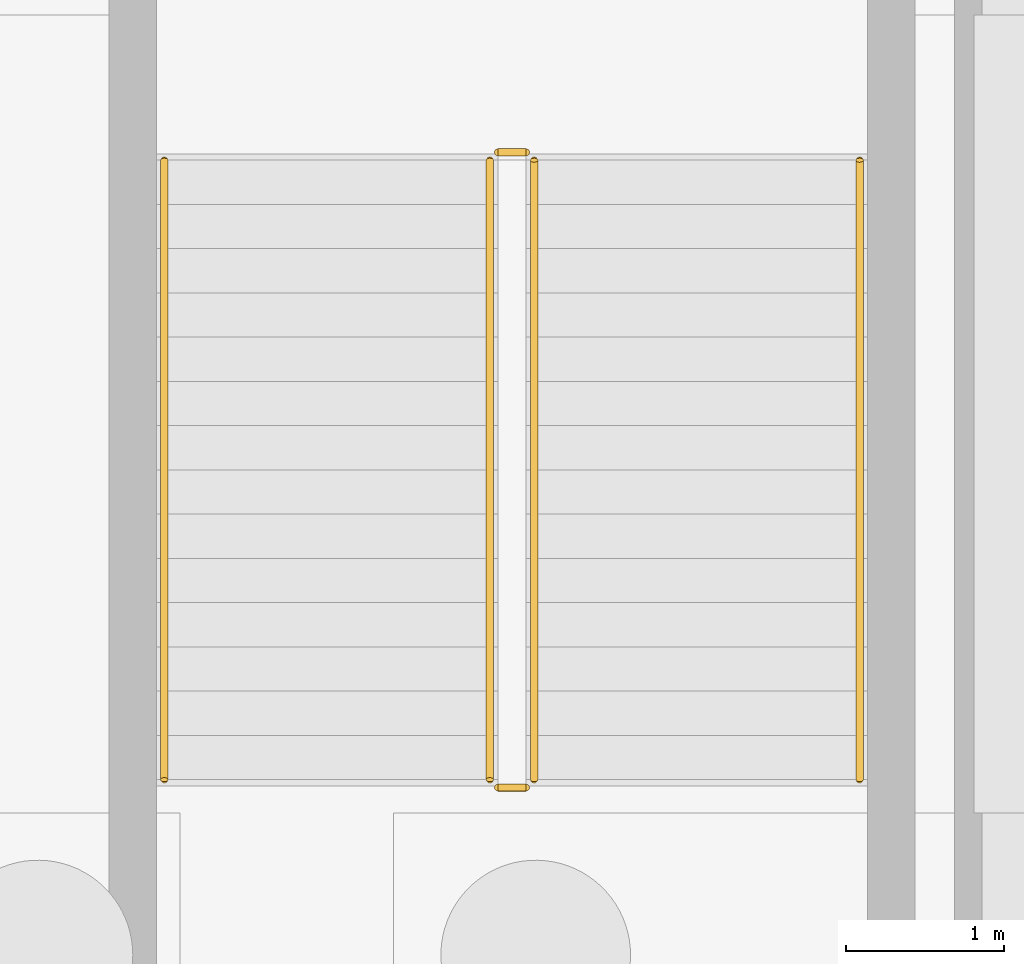
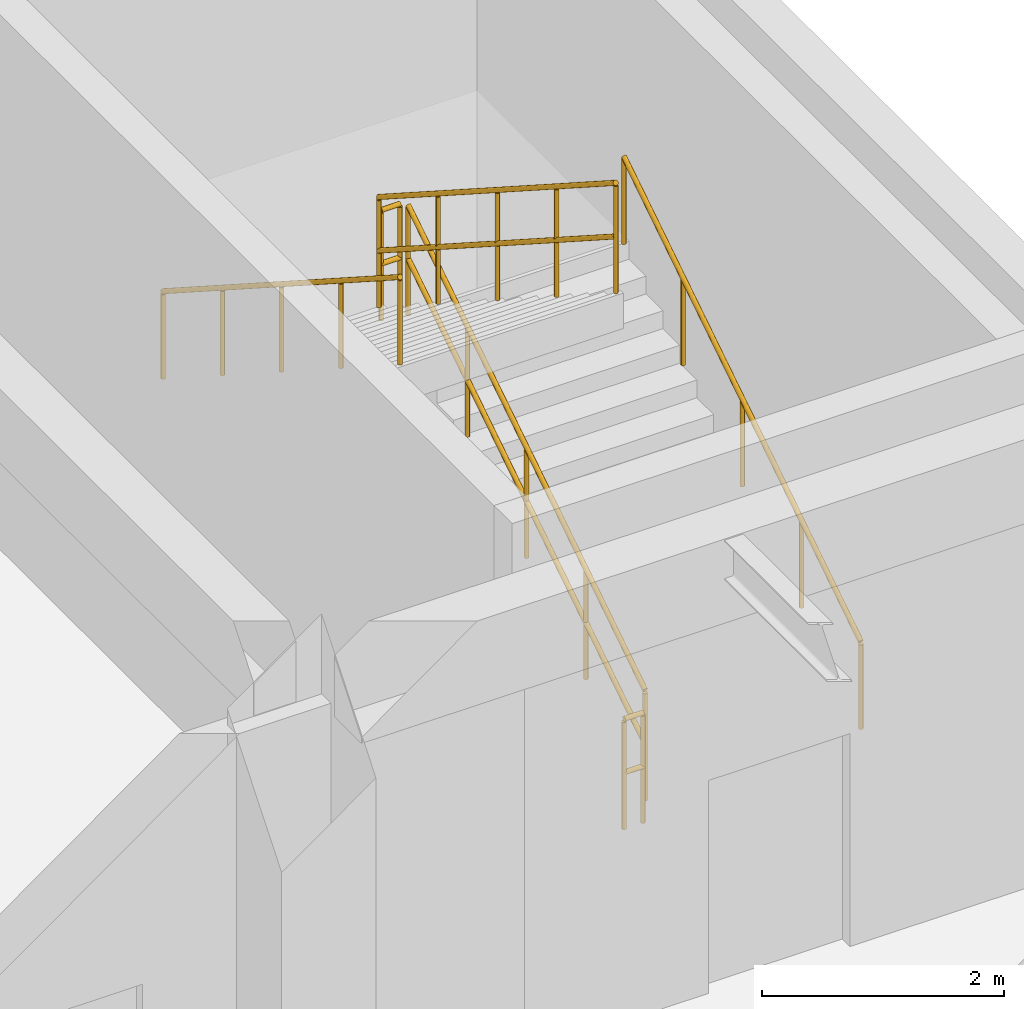
# One storey, part 95 of 99: 6 railings.
"""IFC4 building model written with IfcOpenShell, lengths in metres."""

from ifc_helpers import new_model, si_unit, direction, frame, origin, origin_2d, place, context, subcontext, project, spatial, circle, extrude, material, layer, layer_set, type_object, element, save


model = new_model("IFC4")

# Units and contexts
model_context = context("Model", 3, precision=1e-05, world=origin(), true_north=direction((0.0, 1.0)))
body_context = subcontext(model_context, "Body", "Model", "MODEL_VIEW")
ifc_project = project(units=[si_unit("LENGTHUNIT", "METRE"), si_unit("AREAUNIT", "SQUARE_METRE"), si_unit("VOLUMEUNIT", "CUBIC_METRE"), si_unit("PLANEANGLEUNIT", "RADIAN"), si_unit("MASSUNIT", "GRAM", prefix="KILO")], contexts=[model_context])

# Site, building, storey
site_placement = place(None, origin())
site = spatial("IfcSite", under=ifc_project, at=site_placement, CompositionType="ELEMENT")
building_placement = place(site_placement, origin())
building = spatial("IfcBuilding", under=site, at=building_placement, Name="Kivolera Central Railway Station", CompositionType="ELEMENT")
storey_placement = place(building_placement, origin())
storey = spatial("IfcBuildingStorey", under=building, at=storey_placement, Name="L00", CompositionType="ELEMENT", Elevation=0.0)

# Railings
ifc_material = material(Name="Anodised aluminium", Category="aluminium")
ifc_layer_1 = layer(ifc_material, 0.048095703125, Name="Anodised aluminium")
ifc_layer_set_1 = layer_set([ifc_layer_1], Name="Anodised aluminium")
railing_type_1 = type_object("IfcRailingType", Name="RL-STAIR-GUARD", PredefinedType="GUARDRAIL", material=ifc_layer_set_1)
railing_1_placement = place(storey_placement, frame((192.989990234375, 92.9599609375, 0.179931640625)))
element("IfcRailing", 1, at=railing_1_placement, inside=storey, type_object=railing_type_1, Name="L00 ST11 stair guard 1", PredefinedType="GUARDRAIL", context=body_context, shape_type="SweptSolid", body=[
    extrude(circle(Radius=0.02392578125, at=origin_2d()), frame((0.0, 0.0, 1.10595703125), z_axis=(0.0, 0.841171666519, 0.540768182723), x_axis=(-1.0, 0.0, 0.0)), (0.0, 0.0, 1.0), 4.66015625),
    extrude(circle(Radius=0.02392578125, at=origin_2d()), frame((0.0, 0.0, 0.56494140625), z_axis=(0.0, 0.841171666519, 0.540768182723), x_axis=(-1.0, 0.0, 0.0)), (0.0, 0.0, 1.0), 4.66015625),
    extrude(circle(Radius=0.02099609375, at=origin_2d()), origin(), (0.0, 0.0, 1.0), 1.081787109375),
    extrude(circle(Radius=0.02099609375, at=origin_2d()), frame((0.0, 0.97998046875, 0.6298828125)), (0.0, 0.0, 1.0), 1.081787109375),
    extrude(circle(Radius=0.02099609375, at=origin_2d()), frame((0.0, 1.9599609375, 1.260009765625)), (0.0, 0.0, 1.0), 1.081787109375),
    extrude(circle(Radius=0.02099609375, at=origin_2d()), frame((0.0, 2.93994140625, 1.89013671875)), (0.0, 0.0, 1.0), 1.081787109375),
    extrude(circle(Radius=0.02099609375, at=origin_2d()), frame((0.0, 3.919921875, 2.52001953125)), (0.0, 0.0, 1.0), 1.081787109375),
])
railing_2_placement = place(storey_placement, frame((192.93994140625, 96.929931640625, 2.699951171875)))
element("IfcRailing", 2, at=railing_2_placement, inside=storey, type_object=railing_type_1, Name="L00 ST11 stair guard 2", PredefinedType="GUARDRAIL", context=body_context, shape_type="SweptSolid", body=[
    extrude(circle(Radius=0.02392578125, at=origin_2d()), frame((0.0, 0.0, 1.10595703125), z_axis=(-1.0, 0.0, 0.0), x_axis=(0.0, -1.0, 0.0)), (0.0, 0.0, 1.0), 0.179931640625),
    extrude(circle(Radius=0.02392578125, at=origin_2d()), frame((0.0, 0.0, 0.56494140625), z_axis=(-1.0, 0.0, 0.0), x_axis=(0.0, -1.0, 0.0)), (0.0, 0.0, 1.0), 0.179931640625),
    extrude(circle(Radius=0.02099609375, at=origin_2d()), origin(), (0.0, 0.0, 1.0), 1.081787109375),
    extrude(circle(Radius=0.02099609375, at=origin_2d()), frame((-0.179931640625, 0.0, 0.0)), (0.0, 0.0, 1.0), 1.081787109375),
])
railing_3_placement = place(storey_placement, frame((192.7099609375, 96.8798828125, 2.8798828125)))
element("IfcRailing", 3, at=railing_3_placement, inside=storey, type_object=railing_type_1, Name="L00 ST11 stair guard 3", PredefinedType="GUARDRAIL", context=body_context, shape_type="SweptSolid", body=[
    extrude(circle(Radius=0.02392578125, at=origin_2d()), frame((0.0, 0.0, 1.10595703125), z_axis=(0.0, -0.841171666519, 0.540768182723), x_axis=(1.0, 0.0, 0.0)), (0.0, 0.0, 1.0), 4.66015625),
    extrude(circle(Radius=0.02392578125, at=origin_2d()), frame((0.0, 0.0, 0.56494140625), z_axis=(0.0, -0.841171666519, 0.540768182723), x_axis=(1.0, 0.0, 0.0)), (0.0, 0.0, 1.0), 4.66015625),
    extrude(circle(Radius=0.02099609375, at=origin_2d()), origin(), (0.0, 0.0, 1.0), 1.081787109375),
    extrude(circle(Radius=0.02099609375, at=origin_2d()), frame((0.0, -0.97998046875, 0.6298828125)), (0.0, 0.0, 1.0), 1.081787109375),
    extrude(circle(Radius=0.02099609375, at=origin_2d()), frame((0.0, -1.9599609375, 1.260009765625)), (0.0, 0.0, 1.0), 1.081787109375),
    extrude(circle(Radius=0.02099609375, at=origin_2d()), frame((0.0, -2.93994140625, 1.89013671875)), (0.0, 0.0, 1.0), 1.081787109375),
    extrude(circle(Radius=0.02099609375, at=origin_2d()), frame((0.0, -3.919921875, 2.52001953125)), (0.0, 0.0, 1.0), 1.081787109375),
])
railing_4_placement = place(storey_placement, frame((192.93994140625, 92.909912109375, 0.0)))
element("IfcRailing", 4, at=railing_4_placement, inside=storey, type_object=railing_type_1, Name="L00 ST11 stair guard 4", PredefinedType="GUARDRAIL", context=body_context, shape_type="SweptSolid", body=[
    extrude(circle(Radius=0.02392578125, at=origin_2d()), frame((0.0, 0.0, 1.10595703125), z_axis=(-1.0, 0.0, 0.0), x_axis=(0.0, -1.0, 0.0)), (0.0, 0.0, 1.0), 0.179931640625),
    extrude(circle(Radius=0.02392578125, at=origin_2d()), frame((0.0, 0.0, 0.56494140625), z_axis=(-1.0, 0.0, 0.0), x_axis=(0.0, -1.0, 0.0)), (0.0, 0.0, 1.0), 0.179931640625),
    extrude(circle(Radius=0.02099609375, at=origin_2d()), origin(), (0.0, 0.0, 1.0), 1.081787109375),
    extrude(circle(Radius=0.02099609375, at=origin_2d()), frame((-0.179931640625, 0.0, 0.0)), (0.0, 0.0, 1.0), 1.081787109375),
])
ifc_layer_2 = layer(ifc_material, 0.048095703125, Name="Anodised aluminium")
ifc_layer_set_2 = layer_set([ifc_layer_2], Name="Anodised aluminium")
railing_type_2 = type_object("IfcRailingType", Name="RL-STAIR-HAND", PredefinedType="HANDRAIL", material=ifc_layer_set_2)
railing_5_placement = place(storey_placement, frame((195.050048828125, 92.9599609375, 0.179931640625)))
element("IfcRailing", 5, at=railing_5_placement, inside=storey, type_object=railing_type_2, Name="L00 ST11 stair handrail 1", PredefinedType="HANDRAIL", context=body_context, shape_type="SweptSolid", body=[
    extrude(circle(Radius=0.02392578125, at=origin_2d()), frame((0.0, 0.0, 0.8759765625), z_axis=(0.0, 0.841171666519, 0.540768182723), x_axis=(-1.0, 0.0, 0.0)), (0.0, 0.0, 1.0), 4.66015625),
    extrude(circle(Radius=0.02099609375, at=origin_2d()), origin(), (0.0, 0.0, 1.0), 0.851806640625),
    extrude(circle(Radius=0.02099609375, at=origin_2d()), frame((0.0, 0.97998046875, 0.6298828125)), (0.0, 0.0, 1.0), 0.851806640625),
    extrude(circle(Radius=0.02099609375, at=origin_2d()), frame((0.0, 1.9599609375, 1.260009765625)), (0.0, 0.0, 1.0), 0.851806640625),
    extrude(circle(Radius=0.02099609375, at=origin_2d()), frame((0.0, 2.93994140625, 1.89013671875)), (0.0, 0.0, 1.0), 0.851806640625),
    extrude(circle(Radius=0.02099609375, at=origin_2d()), frame((0.0, 3.919921875, 2.52001953125)), (0.0, 0.0, 1.0), 0.851806640625),
])
railing_6_placement = place(storey_placement, frame((190.64990234375, 96.8798828125, 2.8798828125)))
element("IfcRailing", 6, at=railing_6_placement, inside=storey, type_object=railing_type_2, Name="L00 ST11 stair handrail 2", PredefinedType="HANDRAIL", context=body_context, shape_type="SweptSolid", body=[
    extrude(circle(Radius=0.02392578125, at=origin_2d()), frame((0.0, 0.0, 0.8759765625), z_axis=(0.0, -0.841171666519, 0.540768182723), x_axis=(1.0, 0.0, 0.0)), (0.0, 0.0, 1.0), 4.66015625),
    extrude(circle(Radius=0.02099609375, at=origin_2d()), origin(), (0.0, 0.0, 1.0), 0.851806640625),
    extrude(circle(Radius=0.02099609375, at=origin_2d()), frame((0.0, -0.97998046875, 0.6298828125)), (0.0, 0.0, 1.0), 0.851806640625),
    extrude(circle(Radius=0.02099609375, at=origin_2d()), frame((0.0, -1.9599609375, 1.260009765625)), (0.0, 0.0, 1.0), 0.851806640625),
    extrude(circle(Radius=0.02099609375, at=origin_2d()), frame((0.0, -2.93994140625, 1.89013671875)), (0.0, 0.0, 1.0), 0.851806640625),
    extrude(circle(Radius=0.02099609375, at=origin_2d()), frame((0.0, -3.919921875, 2.52001953125)), (0.0, 0.0, 1.0), 0.851806640625),
])

save(model, "model.ifc")
